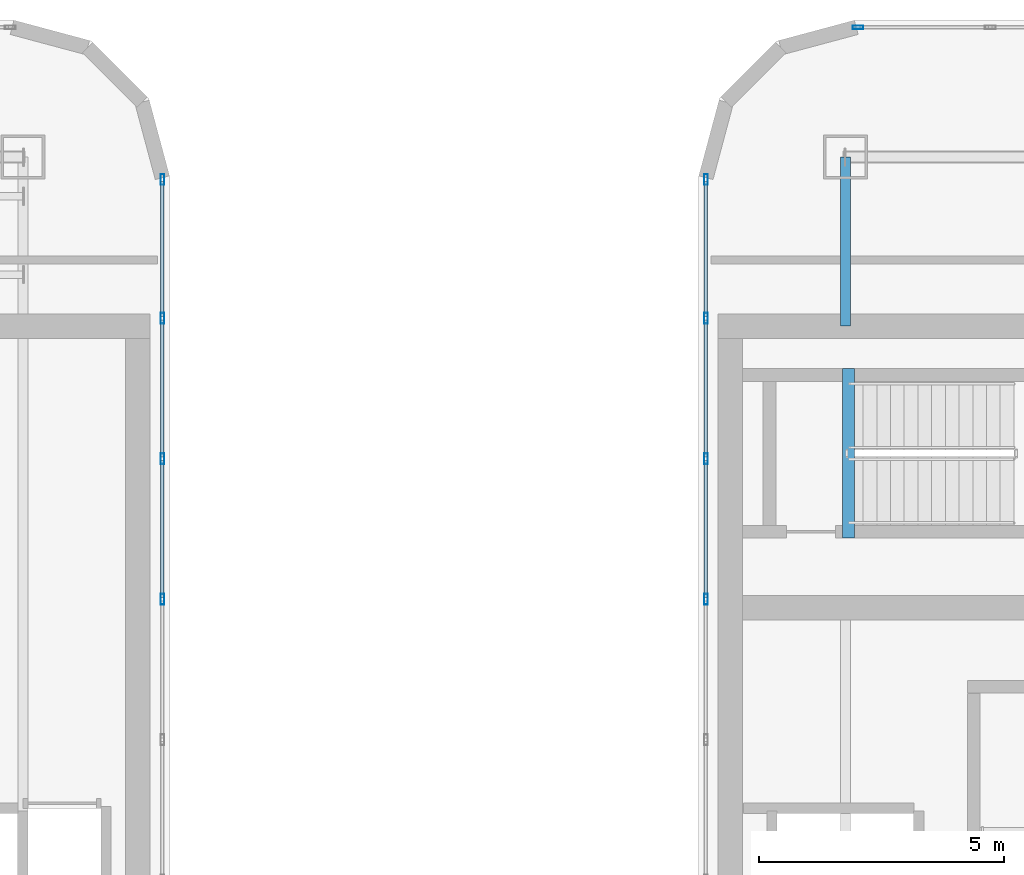
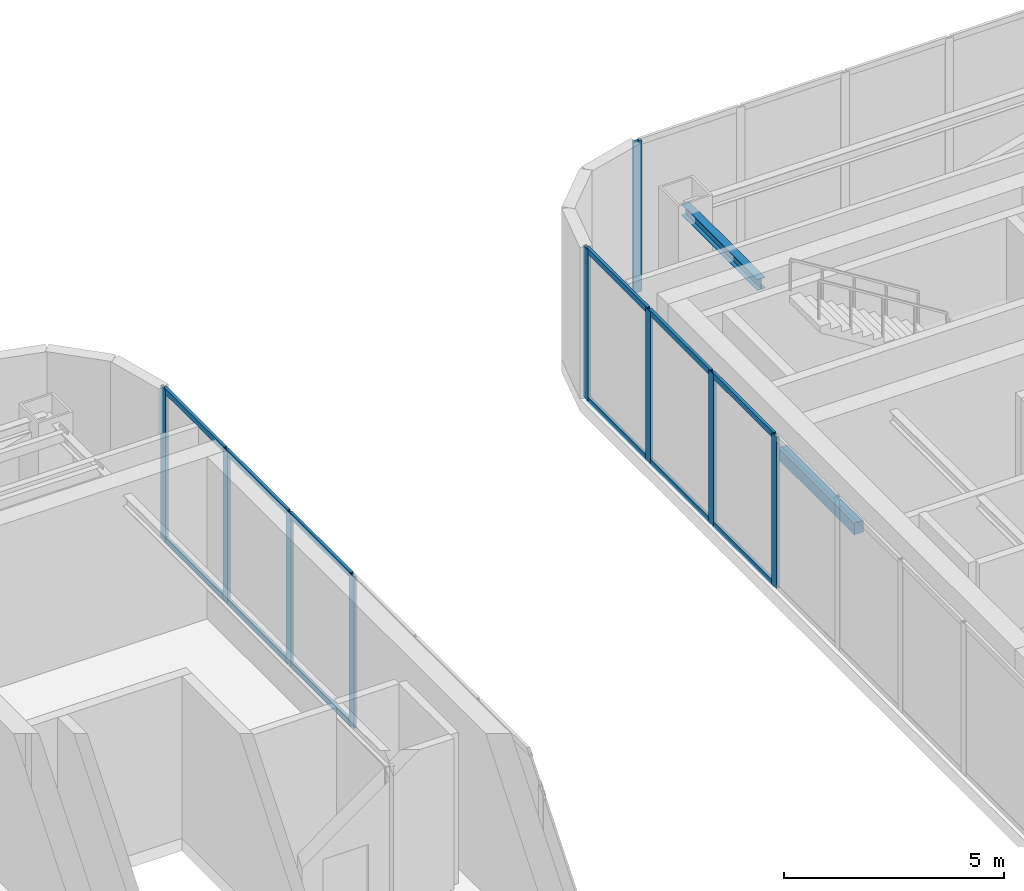
# One storey, part 5 of 13: 21 members, 2 beams, 3 elements without a shape of their own.
"""IFC4 building model written with IfcOpenShell, lengths in metres."""

from ifc_helpers import new_model, si_unit, direction, frame, origin, origin_2d, place, context, subcontext, project, spatial, rectangle, hollow_rectangle, i_section, extrude, material, layer, layer_set, material_profile, profile_set, type_object, element, aggregate, save


model = new_model("IFC4")

# Units and contexts
model_context = context("Model", 3, precision=1e-05, world=origin(), true_north=direction((0.0, 1.0)))
body_context = subcontext(model_context, "Body", "Model", "MODEL_VIEW")
ifc_project = project(units=[si_unit("LENGTHUNIT", "METRE"), si_unit("AREAUNIT", "SQUARE_METRE"), si_unit("VOLUMEUNIT", "CUBIC_METRE"), si_unit("PLANEANGLEUNIT", "RADIAN"), si_unit("MASSUNIT", "GRAM", prefix="KILO")], contexts=[model_context])

# Site, building, storey
site_placement = place(None, origin())
site = spatial("IfcSite", under=ifc_project, at=site_placement, CompositionType="ELEMENT")
building_placement = place(site_placement, origin())
building = spatial("IfcBuilding", under=site, at=building_placement, Name="Kiyonajd Concourse Tower", CompositionType="ELEMENT")
storey_placement = place(building_placement, frame((0.0, 0.0, 363.89990234375)))
storey = spatial("IfcBuildingStorey", under=building, at=storey_placement, Name="L91", CompositionType="ELEMENT", Elevation=363.89990234375)

# Beams
ifc_material_1 = material(Name="Steel ASTM A992 Grade 50", Category="steel")
ifc_material_profile_1 = material_profile(ifc_material_1, i_section(OverallWidth=0.2041015625, OverallDepth=0.305908203125, WebThickness=0.008544921875, FlangeThickness=0.0146484375, at=origin_2d()), Name="W310X67")
ifc_profile_set_1 = profile_set([ifc_material_profile_1], Name="Steel ASTM A992 Grade 50")
beam_type_1 = type_object("IfcBeamType", Name="BM-CRN-310", PredefinedType="BEAM", material=ifc_profile_set_1)
beam_1_placement = place(storey_placement, frame((56.39990234375, 44.14990234375, 4.007080078125), z_axis=(0.0, 1.0, 0.0), x_axis=(-1.0, 0.0, 0.0)))
element("IfcBeam", 1, at=beam_1_placement, inside=storey, type_object=beam_type_1, Name="L91 E Crown Ring Beam 4N", PredefinedType="BEAM", context=body_context, shape_type="SweptSolid", body=[
    extrude(i_section(OverallWidth=0.2041015625, OverallDepth=0.305908203125, WebThickness=0.008544921875, FlangeThickness=0.0146484375, at=origin_2d()), origin(), (0.0, 0.0, 1.0), 3.4501953125),
])
ifc_material_2 = material(Name="Concrete C50/60", Category="concrete")
ifc_material_profile_2 = material_profile(ifc_material_2, rectangle(XDim=0.239990234375, YDim=0.320068359375, at=origin_2d()), Name="RCBM-240x320")
ifc_profile_set_2 = profile_set([ifc_material_profile_2], Name="Concrete C50/60")
beam_type_2 = type_object("IfcBeamType", Name="BM-LNT-250", PredefinedType="LINTEL", material=ifc_profile_set_2)
beam_2_placement = place(storey_placement, frame((56.4599609375, 39.820068359375, -0.159912109375), z_axis=(0.0, 1.0, 0.0), x_axis=(-1.0, 0.0, 0.0)))
element("IfcBeam", 2, at=beam_2_placement, inside=storey, type_object=beam_type_2, Name="L91 Stair ST3 Threshold Support Beam", PredefinedType="LINTEL", context=body_context, shape_type="SweptSolid", body=[
    extrude(rectangle(XDim=0.239990234375, YDim=0.320068359375, at=origin_2d()), origin(), (0.0, 0.0, 1.0), 3.4599609375),
])

# Curtain wall, members
ifc_material_3 = material(Name="Thermally Broken Anodised Aluminium", Category="aluminium")
ifc_layer = layer(ifc_material_3, 0.179931640625)
ifc_layer_set = layer_set([ifc_layer], Name="Thermally Broken Anodised Aluminium")
curtain_wall_type = type_object("IfcCurtainWallType", Name="CW-SYS-06", PredefinedType="NOTDEFINED", material=ifc_layer_set)
curtain_wall_1_placement = place(storey_placement, origin())
curtain_wall_1 = element("IfcCurtainWall", 3, at=curtain_wall_1_placement, inside=storey, type_object=curtain_wall_type, Name="L91 Unitised Curtain Wall CW6", PredefinedType="NOTDEFINED")
ifc_material_profile_3 = material_profile(ifc_material_3, hollow_rectangle(XDim=0.074951171875, YDim=0.219970703125, WallThickness=0.0048828125, at=origin_2d()), Name="MULL-75x220")
ifc_profile_set_3 = profile_set([ifc_material_profile_3], Name="Thermally Broken Anodised Aluminium")
member_type_1 = type_object("IfcMemberType", Name="MB-CW-MULL2", PredefinedType="MULLION", material=ifc_profile_set_3)
member_1_placement = place(storey_placement, frame((42.449951171875, 47.142578125, 0.0), z_axis=(0.0, 0.0, 1.0), x_axis=(1.0, 0.0, 0.0)))
member_1 = element("IfcMember", 4, at=member_1_placement, type_object=member_type_1, Name="CW6 mullion 1", PredefinedType="MULLION", context=body_context, shape_type="SweptSolid", body=[
    extrude(hollow_rectangle(XDim=0.074951171875, YDim=0.219970703125, WallThickness=0.0048828125, at=origin_2d()), origin(), (0.0, 0.0, 1.0), 4.2001953125),
])
member_2_placement = place(storey_placement, frame((42.449951171875, 44.31005859375, 0.0), z_axis=(0.0, 0.0, 1.0), x_axis=(1.0, 0.0, 0.0)))
member_2 = element("IfcMember", 5, at=member_2_placement, type_object=member_type_1, Name="CW6 mullion 2", PredefinedType="MULLION", context=body_context, shape_type="SweptSolid", body=[
    extrude(hollow_rectangle(XDim=0.074951171875, YDim=0.219970703125, WallThickness=0.0048828125, at=origin_2d()), origin(), (0.0, 0.0, 1.0), 4.2001953125),
])
member_3_placement = place(storey_placement, frame((42.449951171875, 41.440185546875, 0.0), z_axis=(0.0, 0.0, 1.0), x_axis=(1.0, 0.0, 0.0)))
member_3 = element("IfcMember", 6, at=member_3_placement, type_object=member_type_1, Name="CW6 mullion 3", PredefinedType="MULLION", context=body_context, shape_type="SweptSolid", body=[
    extrude(hollow_rectangle(XDim=0.074951171875, YDim=0.219970703125, WallThickness=0.0048828125, at=origin_2d()), origin(), (0.0, 0.0, 1.0), 4.2001953125),
])
member_4_placement = place(storey_placement, frame((42.449951171875, 38.570068359375, 0.0), z_axis=(0.0, 0.0, 1.0), x_axis=(1.0, 0.0, 0.0)))
member_4 = element("IfcMember", 7, at=member_4_placement, type_object=member_type_1, Name="CW6 mullion 4", PredefinedType="MULLION", context=body_context, shape_type="SweptSolid", body=[
    extrude(hollow_rectangle(XDim=0.074951171875, YDim=0.219970703125, WallThickness=0.0048828125, at=origin_2d()), origin(), (0.0, 0.0, 1.0), 4.2001953125),
])

curtain_wall_2_placement = place(storey_placement, origin())
curtain_wall_2 = element("IfcCurtainWall", 8, at=curtain_wall_2_placement, inside=storey, type_object=curtain_wall_type, Name="L91 Unitised Curtain Wall CW6", PredefinedType="NOTDEFINED")
member_5_placement = place(storey_placement, frame((53.550048828125, 38.570068359375, 0.0), z_axis=(0.0, 0.0, 1.0), x_axis=(-1.0, 0.0, 0.0)))
member_5 = element("IfcMember", 9, at=member_5_placement, type_object=member_type_1, Name="CW6 mullion 6", PredefinedType="MULLION", context=body_context, shape_type="SweptSolid", body=[
    extrude(hollow_rectangle(XDim=0.074951171875, YDim=0.219970703125, WallThickness=0.0048828125, at=origin_2d()), origin(), (0.0, 0.0, 1.0), 4.2001953125),
])
member_6_placement = place(storey_placement, frame((53.550048828125, 41.440185546875, 0.0), z_axis=(0.0, 0.0, 1.0), x_axis=(-1.0, 0.0, 0.0)))
member_6 = element("IfcMember", 10, at=member_6_placement, type_object=member_type_1, Name="CW6 mullion 7", PredefinedType="MULLION", context=body_context, shape_type="SweptSolid", body=[
    extrude(hollow_rectangle(XDim=0.074951171875, YDim=0.219970703125, WallThickness=0.0048828125, at=origin_2d()), origin(), (0.0, 0.0, 1.0), 4.2001953125),
])
member_7_placement = place(storey_placement, frame((53.550048828125, 44.31005859375, 0.0), z_axis=(0.0, 0.0, 1.0), x_axis=(-1.0, 0.0, 0.0)))
member_7 = element("IfcMember", 11, at=member_7_placement, type_object=member_type_1, Name="CW6 mullion 8", PredefinedType="MULLION", context=body_context, shape_type="SweptSolid", body=[
    extrude(hollow_rectangle(XDim=0.074951171875, YDim=0.219970703125, WallThickness=0.0048828125, at=origin_2d()), origin(), (0.0, 0.0, 1.0), 4.2001953125),
])
member_8_placement = place(storey_placement, frame((53.550048828125, 47.142578125, 0.0), z_axis=(0.0, 0.0, 1.0), x_axis=(-1.0, 0.0, 0.0)))
member_8 = element("IfcMember", 12, at=member_8_placement, type_object=member_type_1, Name="CW6 mullion 9", PredefinedType="MULLION", context=body_context, shape_type="SweptSolid", body=[
    extrude(hollow_rectangle(XDim=0.074951171875, YDim=0.219970703125, WallThickness=0.0048828125, at=origin_2d()), origin(), (0.0, 0.0, 1.0), 4.2001953125),
])

# Curtain wall, member
curtain_wall_3_placement = place(storey_placement, origin())
curtain_wall_3 = element("IfcCurtainWall", 13, at=curtain_wall_3_placement, inside=storey, type_object=curtain_wall_type, Name="L91 Unitised Curtain Wall CW6", PredefinedType="NOTDEFINED")
member_9_placement = place(storey_placement, frame((56.6572265625, 50.25, 0.0), z_axis=(0.0, 0.0, 1.0), x_axis=(0.0, 1.0, 0.0)))
member_9 = element("IfcMember", 14, at=member_9_placement, type_object=member_type_1, Name="CW6 mullion 1", PredefinedType="MULLION", context=body_context, shape_type="SweptSolid", body=[
    extrude(hollow_rectangle(XDim=0.074951171875, YDim=0.219970703125, WallThickness=0.0048828125, at=origin_2d()), origin(), (0.0, 0.0, 1.0), 4.2001953125),
])
aggregate(curtain_wall_3, [member_9])

# Member
ifc_material_profile_4 = material_profile(ifc_material_3, hollow_rectangle(XDim=0.074951171875, YDim=0.159912109375, WallThickness=0.0048828125, at=origin_2d()), Name="TRAN-75x160")
ifc_profile_set_4 = profile_set([ifc_material_profile_4], Name="Thermally Broken Anodised Aluminium")
member_type_2 = type_object("IfcMemberType", Name="MB-CW-TRAN2", PredefinedType="USERDEFINED", material=ifc_profile_set_4)
member_10_placement = place(storey_placement, frame((42.449951171875, 47.105224609375, 0.03759765625), z_axis=(0.0, -1.0, 0.0), x_axis=(1.0, 0.0, 0.0)))
member_10 = element("IfcMember", 15, at=member_10_placement, type_object=member_type_2, Name="CW6 transom 1.1", ObjectType="TRANSOM", PredefinedType="USERDEFINED", context=body_context, shape_type="SweptSolid", body=[
    extrude(hollow_rectangle(XDim=0.074951171875, YDim=0.159912109375, WallThickness=0.0048828125, at=origin_2d()), origin(), (0.0, 0.0, 1.0), 2.757568359375),
])

member_11_placement = place(storey_placement, frame((42.449951171875, 47.105224609375, 4.16259765625), z_axis=(0.0, -1.0, 0.0), x_axis=(1.0, 0.0, 0.0)))
member_11 = element("IfcMember", 16, at=member_11_placement, type_object=member_type_2, Name="CW6 transom 1.2", ObjectType="TRANSOM", PredefinedType="USERDEFINED", context=body_context, shape_type="SweptSolid", body=[
    extrude(hollow_rectangle(XDim=0.074951171875, YDim=0.159912109375, WallThickness=0.0048828125, at=origin_2d()), origin(), (0.0, 0.0, 1.0), 2.757568359375),
])

member_12_placement = place(storey_placement, frame((42.449951171875, 44.272705078125, 0.03759765625), z_axis=(0.0, -1.0, 0.0), x_axis=(1.0, 0.0, 0.0)))
member_12 = element("IfcMember", 17, at=member_12_placement, type_object=member_type_2, Name="CW6 transom 2.1", ObjectType="TRANSOM", PredefinedType="USERDEFINED", context=body_context, shape_type="SweptSolid", body=[
    extrude(hollow_rectangle(XDim=0.074951171875, YDim=0.159912109375, WallThickness=0.0048828125, at=origin_2d()), origin(), (0.0, 0.0, 1.0), 2.795166015625),
])

member_13_placement = place(storey_placement, frame((42.449951171875, 44.272705078125, 4.16259765625), z_axis=(0.0, -1.0, 0.0), x_axis=(1.0, 0.0, 0.0)))
member_13 = element("IfcMember", 18, at=member_13_placement, type_object=member_type_2, Name="CW6 transom 2.2", ObjectType="TRANSOM", PredefinedType="USERDEFINED", context=body_context, shape_type="SweptSolid", body=[
    extrude(hollow_rectangle(XDim=0.074951171875, YDim=0.159912109375, WallThickness=0.0048828125, at=origin_2d()), origin(), (0.0, 0.0, 1.0), 2.795166015625),
])

member_14_placement = place(storey_placement, frame((42.449951171875, 41.402587890625, 0.03759765625), z_axis=(0.0, -1.0, 0.0), x_axis=(1.0, 0.0, 0.0)))
member_14 = element("IfcMember", 19, at=member_14_placement, type_object=member_type_2, Name="CW6 transom 3.1", ObjectType="TRANSOM", PredefinedType="USERDEFINED", context=body_context, shape_type="SweptSolid", body=[
    extrude(hollow_rectangle(XDim=0.074951171875, YDim=0.159912109375, WallThickness=0.0048828125, at=origin_2d()), origin(), (0.0, 0.0, 1.0), 2.794921875),
])

member_15_placement = place(storey_placement, frame((42.449951171875, 41.402587890625, 4.16259765625), z_axis=(0.0, -1.0, 0.0), x_axis=(1.0, 0.0, 0.0)))
member_15 = element("IfcMember", 20, at=member_15_placement, type_object=member_type_2, Name="CW6 transom 3.2", ObjectType="TRANSOM", PredefinedType="USERDEFINED", context=body_context, shape_type="SweptSolid", body=[
    extrude(hollow_rectangle(XDim=0.074951171875, YDim=0.159912109375, WallThickness=0.0048828125, at=origin_2d()), origin(), (0.0, 0.0, 1.0), 2.794921875),
])

aggregate(curtain_wall_1, [member_1, member_2, member_3, member_4, member_10, member_11, member_12, member_13, member_14, member_15])

member_16_placement = place(storey_placement, frame((53.550048828125, 38.607666015625, 0.03759765625), z_axis=(0.0, 1.0, 0.0), x_axis=(-1.0, 0.0, 0.0)))
member_16 = element("IfcMember", 21, at=member_16_placement, type_object=member_type_2, Name="CW6 transom 6.1", ObjectType="TRANSOM", PredefinedType="USERDEFINED", context=body_context, shape_type="SweptSolid", body=[
    extrude(hollow_rectangle(XDim=0.074951171875, YDim=0.159912109375, WallThickness=0.0048828125, at=origin_2d()), origin(), (0.0, 0.0, 1.0), 2.794921875),
])

member_17_placement = place(storey_placement, frame((53.550048828125, 38.607666015625, 4.16259765625), z_axis=(0.0, 1.0, 0.0), x_axis=(-1.0, 0.0, 0.0)))
member_17 = element("IfcMember", 22, at=member_17_placement, type_object=member_type_2, Name="CW6 transom 6.2", ObjectType="TRANSOM", PredefinedType="USERDEFINED", context=body_context, shape_type="SweptSolid", body=[
    extrude(hollow_rectangle(XDim=0.074951171875, YDim=0.159912109375, WallThickness=0.0048828125, at=origin_2d()), origin(), (0.0, 0.0, 1.0), 2.794921875),
])

member_18_placement = place(storey_placement, frame((53.550048828125, 41.4775390625, 0.03759765625), z_axis=(0.0, 1.0, 0.0), x_axis=(-1.0, 0.0, 0.0)))
member_18 = element("IfcMember", 23, at=member_18_placement, type_object=member_type_2, Name="CW6 transom 7.1", ObjectType="TRANSOM", PredefinedType="USERDEFINED", context=body_context, shape_type="SweptSolid", body=[
    extrude(hollow_rectangle(XDim=0.074951171875, YDim=0.159912109375, WallThickness=0.0048828125, at=origin_2d()), origin(), (0.0, 0.0, 1.0), 2.795166015625),
])

member_19_placement = place(storey_placement, frame((53.550048828125, 41.4775390625, 4.16259765625), z_axis=(0.0, 1.0, 0.0), x_axis=(-1.0, 0.0, 0.0)))
member_19 = element("IfcMember", 24, at=member_19_placement, type_object=member_type_2, Name="CW6 transom 7.2", ObjectType="TRANSOM", PredefinedType="USERDEFINED", context=body_context, shape_type="SweptSolid", body=[
    extrude(hollow_rectangle(XDim=0.074951171875, YDim=0.159912109375, WallThickness=0.0048828125, at=origin_2d()), origin(), (0.0, 0.0, 1.0), 2.795166015625),
])

member_20_placement = place(storey_placement, frame((53.550048828125, 44.34765625, 0.03759765625), z_axis=(0.0, 1.0, 0.0), x_axis=(-1.0, 0.0, 0.0)))
member_20 = element("IfcMember", 25, at=member_20_placement, type_object=member_type_2, Name="CW6 transom 8.1", ObjectType="TRANSOM", PredefinedType="USERDEFINED", context=body_context, shape_type="SweptSolid", body=[
    extrude(hollow_rectangle(XDim=0.074951171875, YDim=0.159912109375, WallThickness=0.0048828125, at=origin_2d()), origin(), (0.0, 0.0, 1.0), 2.757568359375),
])

member_21_placement = place(storey_placement, frame((53.550048828125, 44.34765625, 4.16259765625), z_axis=(0.0, 1.0, 0.0), x_axis=(-1.0, 0.0, 0.0)))
member_21 = element("IfcMember", 26, at=member_21_placement, type_object=member_type_2, Name="CW6 transom 8.2", ObjectType="TRANSOM", PredefinedType="USERDEFINED", context=body_context, shape_type="SweptSolid", body=[
    extrude(hollow_rectangle(XDim=0.074951171875, YDim=0.159912109375, WallThickness=0.0048828125, at=origin_2d()), origin(), (0.0, 0.0, 1.0), 2.757568359375),
])

aggregate(curtain_wall_2, [member_5, member_6, member_7, member_8, member_16, member_17, member_18, member_19, member_20, member_21])

save(model, "model.ifc")
